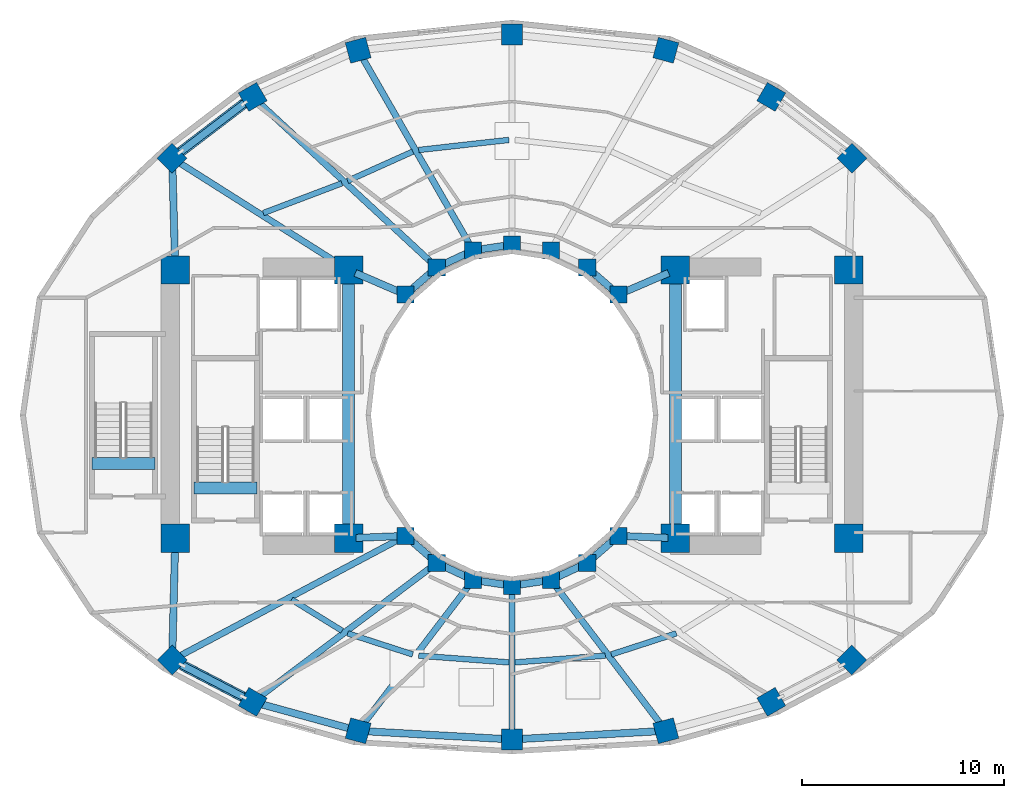
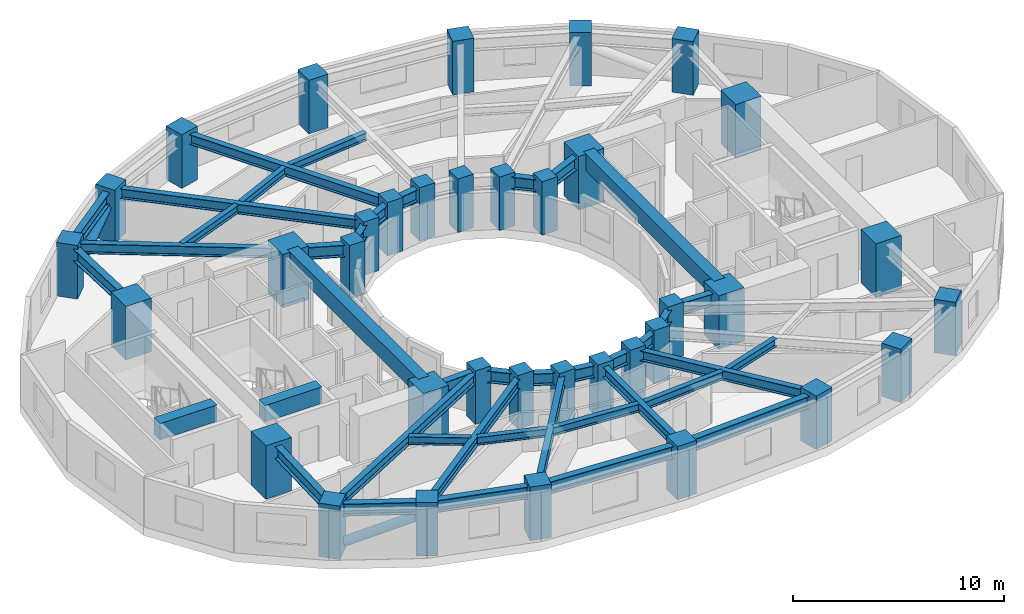
# One storey, part 1 of 9: 41 beams, 36 columns, 2 members.
"""IFC4 building model written with IfcOpenShell, lengths in metres."""

import ifcopenshell
import ifcopenshell.guid

model = None  # the IFC model being written
_history = None  # IfcOwnerHistory: only IFC2X3 demands one
_inside = {}  # id of a spatial element -> (the spatial element, [elements in it])
_under = {}  # id of a project, library or spatial element -> (it, [spatial elements below it])
_declared = {}  # id of a project -> (the project, [libraries it declares])
_typed = {}  # id of a type object -> (the type object, [elements of that type])
_made_of = {}  # id of a material, layer set ... -> (it, [elements and type objects made of it])


def new_model(schema):
    """Start an empty IFC model of exactly this schema.

    Asked for "IFC4X3", IfcOpenShell would pick the latest addendum, in which some entities
    have other attributes; the version numbers below select the first issue.
    IFC2X3 requires an IfcOwnerHistory on every rooted entity: one is made here for all.
    """
    global model, _history
    if schema == "IFC4X3":
        model = ifcopenshell.file(schema_version=(4, 3, 0, 0))
    else:
        model = ifcopenshell.file(schema=schema)
    _inside.clear()
    _under.clear()
    _declared.clear()
    _typed.clear()
    _made_of.clear()
    _history = None
    if model.schema == "IFC2X3":
        org = make("IfcOrganization", Name="unknown")
        user = make(
            "IfcPersonAndOrganization",
            ThePerson=make("IfcPerson", FamilyName="unknown"),
            TheOrganization=org,
        )
        app = make(
            "IfcApplication",
            ApplicationDeveloper=org,
            Version="unknown",
            ApplicationFullName="unknown",
            ApplicationIdentifier="unknown",
        )
        _history = make(
            "IfcOwnerHistory",
            OwningUser=user,
            OwningApplication=app,
            ChangeAction="ADDED",
            CreationDate=0,
        )
    return model


def make(cls, **values):
    """One entity of the class cls with the attributes given. An attribute that is None is left unset."""
    return model.create_entity(
        cls, **{name: value for name, value in values.items() if value is not None}
    )


def rooted(cls, **values):
    """An entity with a GlobalId (a new one), such as an element, a storey or a relation."""
    return make(cls, GlobalId=ifcopenshell.guid.new(), OwnerHistory=_history, **values)


def si_unit(unit_type, name, prefix=None):
    """IfcSIUnit, for example si_unit("LENGTHUNIT", "METRE", prefix="MILLI")."""
    return make("IfcSIUnit", UnitType=unit_type, Prefix=prefix, Name=name)


def assignment(units):
    """IfcUnitAssignment: the units of a project."""
    return None if units is None else make("IfcUnitAssignment", Units=units)


def point(xyz):
    """IfcCartesianPoint."""
    return None if xyz is None else make("IfcCartesianPoint", Coordinates=xyz)


def direction(xyz):
    """IfcDirection."""
    return None if xyz is None else make("IfcDirection", DirectionRatios=xyz)


def frame(location, z_axis=None, x_axis=None):
    """IfcAxis2Placement3D, a coordinate frame: its origin and axes. An axis left out is left unset."""
    return make(
        "IfcAxis2Placement3D",
        Location=point(location),
        Axis=direction(z_axis),
        RefDirection=direction(x_axis),
    )


def frame_2d(location, x_axis=None):
    """IfcAxis2Placement2D, a coordinate frame in the plane: its origin and x axis."""
    return make(
        "IfcAxis2Placement2D", Location=point(location), RefDirection=direction(x_axis)
    )


def origin():
    """The frame at (0, 0, 0) with its axes left unset."""
    return frame((0.0, 0.0, 0.0))


def origin_2d():
    """The frame at (0, 0) in the plane with its x axis left unset."""
    return frame_2d((0.0, 0.0))


def place(relative_to, where):
    """IfcLocalPlacement: puts the frame where relative to a parent placement (None: the world)."""
    return make(
        "IfcLocalPlacement", PlacementRelTo=relative_to, RelativePlacement=where
    )


def context(
    kind, dimensions, precision=None, world=None, true_north=None, identifier=None
):
    """IfcGeometricRepresentationContext, for example the 3D "Model" context."""
    return make(
        "IfcGeometricRepresentationContext",
        ContextIdentifier=identifier,
        ContextType=kind,
        CoordinateSpaceDimension=dimensions,
        Precision=precision,
        WorldCoordinateSystem=world,
        TrueNorth=true_north,
    )


def subcontext(parent, identifier, kind, view, scale=None):
    """IfcGeometricRepresentationSubContext, for example "Body" below "Model"."""
    return make(
        "IfcGeometricRepresentationSubContext",
        ContextIdentifier=identifier,
        ContextType=kind,
        ParentContext=parent,
        TargetScale=scale,
        TargetView=view,
    )


def project(units=None, contexts=None):
    """IfcProject with its units and contexts."""
    return rooted(
        "IfcProject",
        Name="project",
        RepresentationContexts=contexts,
        UnitsInContext=assignment(units),
    )


def spatial(cls, under=None, at=None, **own):
    """A site, building, storey or space (cls), placed at a placement, below another one or the project."""
    s = rooted(cls, ObjectPlacement=at, **own)
    if under is not None:
        _under.setdefault(under.id(), (under, []))[1].append(s)
    return s


def profile(cls, at=None, kind="AREA", **sizes):
    """A parametric profile (cls). Its sizes go by their IFC names, for example OverallWidth=200.0."""
    return make(cls, ProfileType=kind, Position=at, **sizes)


def rectangle(**sizes):
    """IfcRectangleProfileDef."""
    return profile("IfcRectangleProfileDef", **sizes)


def hollow_circle(**sizes):
    """IfcCircleHollowProfileDef."""
    return profile("IfcCircleHollowProfileDef", **sizes)


def i_section(**sizes):
    """IfcIShapeProfileDef."""
    return profile("IfcIShapeProfileDef", **sizes)


def extrude(swept, where, along, depth):
    """IfcExtrudedAreaSolid: the profile swept, set in the frame where, extruded along a direction by depth."""
    return make(
        "IfcExtrudedAreaSolid",
        SweptArea=swept,
        Position=where,
        ExtrudedDirection=direction(along),
        Depth=depth,
    )


def shape(context_of_items, identifier, shape_type, items):
    """IfcShapeRepresentation: the items that make up one representation, for example the "Body"."""
    return make(
        "IfcShapeRepresentation",
        ContextOfItems=context_of_items,
        RepresentationIdentifier=identifier,
        RepresentationType=shape_type,
        Items=items,
    )


def material(Name=None, Category=None):
    """IfcMaterial."""
    return make("IfcMaterial", Name=Name, Category=Category)


def material_profile(
    of_material, cross_section, Name=None, Category=None, Priority=None
):
    """IfcMaterialProfile: a cross section and its material."""
    return make(
        "IfcMaterialProfile",
        Name=Name,
        Material=of_material,
        Profile=cross_section,
        Priority=Priority,
        Category=Category,
    )


def profile_set(profiles, Name=None, composite=None):
    """IfcMaterialProfileSet."""
    return make(
        "IfcMaterialProfileSet",
        Name=Name,
        MaterialProfiles=profiles,
        CompositeProfile=composite,
    )


def made_of(thing, what):
    """Note that an element or type object is made of a material, layer set ...; save() writes the relation."""
    if what is not None:
        _made_of.setdefault(what.id(), (what, []))[1].append(thing)
    return thing


def type_object(cls, material=None, **own):
    """A type object (cls), such as IfcWallType, which elements share."""
    return made_of(rooted(cls, **own), material)


def element(
    cls,
    number,
    at=None,
    inside=None,
    cuts=None,
    type_object=None,
    material=None,
    context=None,
    identifier="Body",
    shape_type=None,
    held_by="IfcProductDefinitionShape",
    body=None,
    shapes=None,
    **own,
):
    """One element of the class cls, such as IfcWall. Its Tag is "e" and its number.

    at: its placement. inside: the storey or other place that contains it. cuts: it is an
    opening in that element (IfcRelVoidsElement). A single representation is given by context,
    identifier, shape_type and body (its items); several are given by shapes. held_by: the class
    of the entity that holds the representations. save() writes the other relations.
    """
    e = rooted(cls, Tag="e%d" % number, ObjectPlacement=at, **own)
    if body is not None:
        shapes = [shape(context, identifier, shape_type, body)]
    if shapes is not None:
        e.Representation = make(held_by, Representations=shapes)
    if inside is not None:
        _inside.setdefault(inside.id(), (inside, []))[1].append(e)
    if cuts is not None:
        rooted(
            "IfcRelVoidsElement", RelatingBuildingElement=cuts, RelatedOpeningElement=e
        )
    if type_object is not None:
        _typed.setdefault(type_object.id(), (type_object, []))[1].append(e)
    return made_of(e, material)


def aggregate(whole, parts):
    """IfcRelAggregates: a whole, such as a stair, and the parts it consists of."""
    return rooted("IfcRelAggregates", RelatingObject=whole, RelatedObjects=parts)


def save(model, path):
    """Write the relations noted so far, then the file.

    IfcRelAggregates (storeys below a building ...), IfcRelContainedInSpatialStructure (elements
    in a storey), IfcRelDefinesByType, IfcRelAssociatesMaterial and IfcRelDeclares: one each for
    every whole, place, type object, material and project.
    """
    for whole, parts in _under.values():
        aggregate(whole, parts)
    for where, things in _inside.values():
        rooted(
            "IfcRelContainedInSpatialStructure",
            RelatedElements=things,
            RelatingStructure=where,
        )
    for kind, things in _typed.values():
        rooted("IfcRelDefinesByType", RelatedObjects=things, RelatingType=kind)
    for what, things in _made_of.values():
        rooted("IfcRelAssociatesMaterial", RelatedObjects=things, RelatingMaterial=what)
    for by, libraries in _declared.values():
        rooted("IfcRelDeclares", RelatingContext=by, RelatedDefinitions=libraries)
    model.write(path)


model = new_model("IFC4")

# Units and contexts
model_context = context("Model", 3, precision=1e-05, world=origin(), true_north=direction((0.0, 1.0)))
body_context = subcontext(model_context, "Body", "Model", "MODEL_VIEW")
ifc_project = project(units=[si_unit("LENGTHUNIT", "METRE"), si_unit("AREAUNIT", "SQUARE_METRE"), si_unit("VOLUMEUNIT", "CUBIC_METRE"), si_unit("PLANEANGLEUNIT", "RADIAN"), si_unit("MASSUNIT", "GRAM", prefix="KILO")], contexts=[model_context])

# Site, building, storey
site_placement = place(None, origin())
site = spatial("IfcSite", under=ifc_project, at=site_placement, CompositionType="ELEMENT")
building_placement = place(site_placement, origin())
building = spatial("IfcBuilding", under=site, at=building_placement, Name="Solvane Sanctuary Tower", CompositionType="ELEMENT")
storey_placement = place(building_placement, frame((0.0, 0.0, 76.300048828125)))
storey = spatial("IfcBuildingStorey", under=building, at=storey_placement, Name="L22", CompositionType="ELEMENT", Elevation=76.300048828125)

# Columns
ifc_material_1 = material(Name="Concrete C70/85", Category="concrete")
ifc_material_profile_1 = material_profile(ifc_material_1, rectangle(XDim=1.39990234375, YDim=1.39990234375, at=origin_2d()), Name="RC1400X1400")
ifc_profile_set_1 = profile_set([ifc_material_profile_1], Name="Concrete C70/85")
column_type_1 = type_object("IfcColumnType", Name="Column C-POD-INT RC1400X1400", PredefinedType="COLUMN", material=ifc_profile_set_1)
for number, where, z_axis, x_axis, name in (
    (1, (15.300048828125, 16.89990234375, 0.0), (0.0, 0.0, 1.0), (1.0, 0.0, 0.0), "L22 Core Corner Column CW1"),
    (2, (23.89990234375, 16.89990234375, 0.0), (0.0, 0.0, 1.0), (1.0, 0.0, 0.0), "L22 Core Corner Column CW2"),
    (3, (23.89990234375, 30.199951171875, 0.0), (0.0, 0.0, 1.0), (1.0, 0.0, 0.0), "L22 Core Corner Column CW3"),
    (4, (15.300048828125, 30.199951171875, 0.0), (0.0, 0.0, 1.0), (1.0, 0.0, 0.0), "L22 Core Corner Column CW4"),
    (5, (40.10009765625, 16.89990234375, 0.0), (0.0, 0.0, 1.0), (1.0, 0.0, 0.0), "L22 Core Corner Column CE1"),
    (6, (48.699951171875, 16.89990234375, 0.0), (0.0, 0.0, 1.0), (1.0, 0.0, 0.0), "L22 Core Corner Column CE2"),
    (7, (48.699951171875, 30.199951171875, 0.0), (0.0, 0.0, 1.0), (1.0, 0.0, 0.0), "L22 Core Corner Column CE3"),
    (8, (40.10009765625, 30.199951171875, 0.0), (0.0, 0.0, 1.0), (1.0, 0.0, 0.0), "L22 Core Corner Column CE4"),
):
    element("IfcColumn", number, at=place(storey_placement, frame(where, z_axis=z_axis, x_axis=x_axis)), inside=storey, type_object=column_type_1, Name=name, PredefinedType="COLUMN", context=body_context, shape_type="SweptSolid", body=[
        extrude(rectangle(XDim=1.39990234375, YDim=1.39990234375, at=origin_2d()), origin(), (0.0, 0.0, 1.0), 3.099853515625),
    ])
ifc_material_2 = material(Name="Concrete C60/75", Category="concrete")
ifc_material_profile_2 = material_profile(ifc_material_2, rectangle(XDim=0.85009765625, YDim=0.85009765625, at=origin_2d()), Name="RC850X850")
ifc_profile_set_2 = profile_set([ifc_material_profile_2], Name="Concrete C60/75")
column_type_2 = type_object("IfcColumnType", Name="Column C-RING-Z2 RC850X850", PredefinedType="COLUMN", material=ifc_profile_set_2)
for number, where, z_axis, x_axis, name in (
    (9, (37.27490234375, 28.982177734375, 0.0), (0.0, 0.0, 1.0), (1.0, 0.0, 0.0), "L22 Inner Light-Well Ring Column IC01"),
    (10, (35.72998046875, 30.32666015625, 0.0), (0.0, 0.0, 1.0), (1.0, 0.0, 0.0), "L22 Inner Light-Well Ring Column IC02"),
    (11, (33.930908203125, 31.171630859375, 0.0), (0.0, 0.0, 1.0), (1.0, 0.0, 0.0), "L22 Inner Light-Well Ring Column IC03"),
    (12, (32.0, 31.4599609375, 0.0), (0.0, 0.0, 1.0), (1.0, 0.0, 0.0), "L22 Inner Light-Well Ring Column IC04"),
    (13, (30.069091796875, 31.171630859375, 0.0), (0.0, 0.0, 1.0), (1.0, 0.0, 0.0), "L22 Inner Light-Well Ring Column IC05"),
    (14, (28.27001953125, 30.32666015625, 0.0), (0.0, 0.0, 1.0), (1.0, 0.0, 0.0), "L22 Inner Light-Well Ring Column IC06"),
    (15, (26.72509765625, 28.982177734375, 0.0), (0.0, 0.0, 1.0), (1.0, 0.0, 0.0), "L22 Inner Light-Well Ring Column IC07"),
    (16, (26.72509765625, 17.017822265625, 0.0), (0.0, 0.0, 1.0), (1.0, 0.0, 0.0), "L22 Inner Light-Well Ring Column IC08"),
    (17, (28.27001953125, 15.67333984375, 0.0), (0.0, 0.0, 1.0), (1.0, 0.0, 0.0), "L22 Inner Light-Well Ring Column IC09"),
    (18, (30.069091796875, 14.828369140625, 0.0), (0.0, 0.0, 1.0), (1.0, 0.0, 0.0), "L22 Inner Light-Well Ring Column IC10"),
    (19, (32.0, 14.5400390625, 0.0), (0.0, 0.0, 1.0), (1.0, 0.0, 0.0), "L22 Inner Light-Well Ring Column IC11"),
    (20, (33.930908203125, 14.828369140625, 0.0), (0.0, 0.0, 1.0), (1.0, 0.0, 0.0), "L22 Inner Light-Well Ring Column IC12"),
    (21, (35.72998046875, 15.67333984375, 0.0), (0.0, 0.0, 1.0), (1.0, 0.0, 0.0), "L22 Inner Light-Well Ring Column IC13"),
    (22, (37.27490234375, 17.017822265625, 0.0), (0.0, 0.0, 1.0), (1.0, 0.0, 0.0), "L22 Inner Light-Well Ring Column IC14"),
):
    element("IfcColumn", number, at=place(storey_placement, frame(where, z_axis=z_axis, x_axis=x_axis)), inside=storey, type_object=column_type_2, Name=name, PredefinedType="COLUMN", context=body_context, shape_type="SweptSolid", body=[
        extrude(rectangle(XDim=0.85009765625, YDim=0.85009765625, at=origin_2d()), origin(), (0.0, 0.0, 1.0), 3.099853515625),
    ])
ifc_material_profile_3 = material_profile(ifc_material_2, rectangle(XDim=1.050048828125, YDim=1.050048828125, at=origin_2d()), Name="RC1050X1050")
ifc_profile_set_3 = profile_set([ifc_material_profile_3], Name="Concrete C60/75")
column_type_3 = type_object("IfcColumnType", Name="Column C-TUBE-Z2 RC1050X1050", PredefinedType="COLUMN", material=ifc_profile_set_3)
for number, where, z_axis, x_axis, name in (
    (23, (48.85302734375, 35.742919921875, 0.0), (0.0, 0.0, 1.0), (0.707106781187, 0.707106781187, 0.0), "L22 Perimeter Tube Column TC01"),
    (24, (44.8583984375, 38.7861328125, 0.0), (0.0, 0.0, 1.0), (0.5, 0.866025403784, 0.0), "L22 Perimeter Tube Column TC02"),
    (25, (39.62939453125, 41.10009765625, 0.0), (0.0, 0.0, 1.0), (0.258819045103, 0.965925826289, 0.0), "L22 Perimeter Tube Column TC03"),
    (26, (32.0, 41.8798828125, 0.0), (0.0, 0.0, 1.0), (0.0, 1.0, 0.0), "L22 Perimeter Tube Column TC04"),
    (27, (24.37060546875, 41.10009765625, 0.0), (0.0, 0.0, 1.0), (-0.258819045103, 0.965925826289, 0.0), "L22 Perimeter Tube Column TC05"),
    (28, (19.1416015625, 38.7861328125, 0.0), (0.0, 0.0, 1.0), (-0.5, 0.866025403784, 0.0), "L22 Perimeter Tube Column TC06"),
    (29, (15.14697265625, 35.742919921875, 0.0), (0.0, 0.0, 1.0), (-0.707106781187, 0.707106781187, 0.0), "L22 Perimeter Tube Column TC07"),
    (30, (15.14697265625, 10.86181640625, 0.0), (0.0, 0.0, 1.0), (-0.707106781187, -0.707106781187, 0.0), "L22 Perimeter Tube Column TC08"),
    (31, (19.1416015625, 8.782470703125, 0.0), (0.0, 0.0, 1.0), (-0.5, -0.866025403784, 0.0), "L22 Perimeter Tube Column TC09"),
    (32, (24.37060546875, 7.347900390625, 0.0), (0.0, 0.0, 1.0), (-0.258819045103, -0.965925826289, 0.0), "L22 Perimeter Tube Column TC10"),
    (33, (32.0, 6.919921875, 0.0), (0.0, 0.0, 1.0), (0.0, -1.0, 0.0), "L22 Perimeter Tube Column TC11"),
    (34, (39.62939453125, 7.347900390625, 0.0), (0.0, 0.0, 1.0), (0.258819045103, -0.965925826289, 0.0), "L22 Perimeter Tube Column TC12"),
    (35, (44.8583984375, 8.782470703125, 0.0), (0.0, 0.0, 1.0), (0.5, -0.866025403784, 0.0), "L22 Perimeter Tube Column TC13"),
    (36, (48.85302734375, 10.86181640625, 0.0), (0.0, 0.0, 1.0), (0.707106781187, -0.707106781187, 0.0), "L22 Perimeter Tube Column TC14"),
):
    element("IfcColumn", number, at=place(storey_placement, frame(where, z_axis=z_axis, x_axis=x_axis)), inside=storey, type_object=column_type_3, Name=name, PredefinedType="COLUMN", context=body_context, shape_type="SweptSolid", body=[
        extrude(rectangle(XDim=1.050048828125, YDim=1.050048828125, at=origin_2d()), origin(), (0.0, 0.0, 1.0), 3.099853515625),
    ])

# Beams
ifc_material_profile_4 = material_profile(ifc_material_1, rectangle(XDim=0.60009765625, YDim=0.949951171875, at=origin_2d()), Name="RC600X950")
ifc_profile_set_4 = profile_set([ifc_material_profile_4], Name="Concrete C70/85")
beam_type_1 = type_object("IfcBeamType", Name="Beam B-COUPLE RC600X950", PredefinedType="LINTEL", material=ifc_profile_set_4)
for number, where, z_axis, x_axis, name in (
    (37, (23.89990234375, 17.35009765625, 2.625), (0.0, 1.0, 0.0), (-1.0, 0.0, 0.0), "L22 West Core Coupling Lintel"),
    (38, (40.10009765625, 17.35009765625, 2.625), (0.0, 1.0, 0.0), (-1.0, 0.0, 0.0), "L22 East Core Coupling Lintel"),
):
    element("IfcBeam", number, at=place(storey_placement, frame(where, z_axis=z_axis, x_axis=x_axis)), inside=storey, type_object=beam_type_1, Name=name, PredefinedType="LINTEL", context=body_context, shape_type="SweptSolid", body=[
        extrude(rectangle(XDim=0.60009765625, YDim=0.949951171875, at=origin_2d()), origin(), (0.0, 0.0, 1.0), 12.39990234375),
    ])
for number, where, z_axis, x_axis, name in (
    (39, (16.22998046875, 19.399169921875, 2.625), (1.0, 0.0, 0.0), (0.0, 1.0, 0.0), "L22 ST-1 Stair Floor Landing Trimmer"),
    (40, (11.169921875, 20.59912109375, 2.625), (1.0, 0.0, 0.0), (0.0, 1.0, 0.0), "L22 ST-3 Stair Floor Landing Trimmer"),
):
    element("IfcBeam", number, at=place(storey_placement, frame(where, z_axis=z_axis, x_axis=x_axis)), inside=storey, type_object=beam_type_1, Name=name, PredefinedType="LINTEL", context=body_context, shape_type="SweptSolid", body=[
        extrude(rectangle(XDim=0.60009765625, YDim=0.949951171875, at=origin_2d()), origin(), (0.0, 0.0, 1.0), 3.1201171875),
    ])
ifc_material_3 = material(Name="Steel ASTM A992 Grade 50", Category="steel")
ifc_material_profile_5 = material_profile(ifc_material_3, i_section(OverallWidth=0.31494140625, OverallDepth=0.575927734375, WebThickness=0.01513671875, FlangeThickness=0.0244140625, FilletRadius=0.014892578125, at=origin_2d()), Name="W21X122")
ifc_profile_set_5 = profile_set([ifc_material_profile_5], Name="Steel ASTM A992 Grade 50")
beam_type_2 = type_object("IfcBeamType", Name="Beam B-RAD-Z2 W21X122", PredefinedType="BEAM", material=ifc_profile_set_5)
beam_1_placement = place(storey_placement, frame((29.9296875, 31.41455078125, 2.58984375), z_axis=(-0.497792245326, 0.8672963049, 0.0), x_axis=(-0.8672963049, -0.497792245326, 0.0)))
element("IfcBeam", 41, at=beam_1_placement, inside=storey, type_object=beam_type_2, Name="L22 Radial Composite Floor Beam 05", PredefinedType="BEAM", context=body_context, shape_type="SweptSolid", body=[
    extrude(i_section(OverallWidth=0.31494140625, OverallDepth=0.575927734375, WebThickness=0.01513671875, FlangeThickness=0.0244140625, FilletRadius=0.014892578125, at=origin_2d()), origin(), (0.0, 0.0, 1.0), 10.887451171875),
])
beam_2_placement = place(storey_placement, frame((28.064697265625, 30.516845703125, 2.58984375), z_axis=(-0.733453775248, 0.679739332078, 0.0), x_axis=(-0.679739332078, -0.733453775248, 0.0)))
element("IfcBeam", 42, at=beam_2_placement, inside=storey, type_object=beam_type_2, Name="L22 Radial Composite Floor Beam 06", PredefinedType="BEAM", context=body_context, shape_type="SweptSolid", body=[
    extrude(i_section(OverallWidth=0.31494140625, OverallDepth=0.575927734375, WebThickness=0.01513671875, FlangeThickness=0.0244140625, FilletRadius=0.014892578125, at=origin_2d()), origin(), (0.0, 0.0, 1.0), 11.885498046875),
])
beam_3_placement = place(storey_placement, frame((23.595947265625, 30.392578125, 2.58984375), z_axis=(-0.844853889678, 0.534997107558, 0.0), x_axis=(-0.534997107558, -0.844853889678, 0.0)))
element("IfcBeam", 43, at=beam_3_placement, inside=storey, type_object=beam_type_2, Name="L22 Radial Composite Floor Beam 07", PredefinedType="BEAM", context=body_context, shape_type="SweptSolid", body=[
    extrude(i_section(OverallWidth=0.31494140625, OverallDepth=0.575927734375, WebThickness=0.01513671875, FlangeThickness=0.0244140625, FilletRadius=0.014892578125, at=origin_2d()), origin(), (0.0, 0.0, 1.0), 9.720458984375),
])
beam_4_placement = place(storey_placement, frame((26.477783203125, 16.886474609375, 2.58984375), z_axis=(-0.882951984843, -0.469463302572, 0.0), x_axis=(0.469463302572, -0.882951984843, 0.0)))
element("IfcBeam", 44, at=beam_4_placement, inside=storey, type_object=beam_type_2, Name="L22 Radial Composite Floor Beam 08", PredefinedType="BEAM", context=body_context, shape_type="SweptSolid", body=[
    extrude(i_section(OverallWidth=0.31494140625, OverallDepth=0.575927734375, WebThickness=0.01513671875, FlangeThickness=0.0244140625, FilletRadius=0.014892578125, at=origin_2d()), origin(), (0.0, 0.0, 1.0), 12.552734375),
])
beam_5_placement = place(storey_placement, frame((28.04638671875, 15.504638671875, 2.58984375), z_axis=(-0.798116040134, -0.602503764703, 0.0), x_axis=(0.602503764703, -0.798116040134, 0.0)))
element("IfcBeam", 45, at=beam_5_placement, inside=storey, type_object=beam_type_2, Name="L22 Radial Composite Floor Beam 09", PredefinedType="BEAM", context=body_context, shape_type="SweptSolid", body=[
    extrude(i_section(OverallWidth=0.31494140625, OverallDepth=0.575927734375, WebThickness=0.01513671875, FlangeThickness=0.0244140625, FilletRadius=0.014892578125, at=origin_2d()), origin(), (0.0, 0.0, 1.0), 10.876953125),
])
beam_6_placement = place(storey_placement, frame((29.8994140625, 14.605712890625, 2.58984375), z_axis=(-0.605972515369, -0.795485581653, 0.0), x_axis=(0.795485581653, -0.605972515369, 0.0)))
element("IfcBeam", 46, at=beam_6_placement, inside=storey, type_object=beam_type_2, Name="L22 Radial Composite Floor Beam 10", PredefinedType="BEAM", context=body_context, shape_type="SweptSolid", body=[
    extrude(i_section(OverallWidth=0.31494140625, OverallDepth=0.575927734375, WebThickness=0.01513671875, FlangeThickness=0.0244140625, FilletRadius=0.014892578125, at=origin_2d()), origin(), (0.0, 0.0, 1.0), 8.84375),
])
beam_7_placement = place(storey_placement, frame((32.0, 14.260009765625, 2.58984375), z_axis=(0.0, -1.0, 0.0), x_axis=(1.0, 0.0, 0.0)))
element("IfcBeam", 47, at=beam_7_placement, inside=storey, type_object=beam_type_2, Name="L22 Radial Composite Floor Beam 11", PredefinedType="BEAM", context=body_context, shape_type="SweptSolid", body=[
    extrude(i_section(OverallWidth=0.31494140625, OverallDepth=0.575927734375, WebThickness=0.01513671875, FlangeThickness=0.0244140625, FilletRadius=0.014892578125, at=origin_2d()), origin(), (0.0, 0.0, 1.0), 7.06005859375),
])
beam_8_placement = place(storey_placement, frame((34.1005859375, 14.605712890625, 2.58984375), z_axis=(0.605972515369, -0.795485581653, 0.0), x_axis=(0.795485581653, 0.605972515369, 0.0)))
element("IfcBeam", 48, at=beam_8_placement, inside=storey, type_object=beam_type_2, Name="L22 Radial Composite Floor Beam 12", PredefinedType="BEAM", context=body_context, shape_type="SweptSolid", body=[
    extrude(i_section(OverallWidth=0.31494140625, OverallDepth=0.575927734375, WebThickness=0.01513671875, FlangeThickness=0.0244140625, FilletRadius=0.014892578125, at=origin_2d()), origin(), (0.0, 0.0, 1.0), 8.84375),
])
ifc_material_profile_6 = material_profile(ifc_material_3, i_section(OverallWidth=0.35498046875, OverallDepth=0.695068359375, WebThickness=0.015380859375, FlangeThickness=0.02490234375, FilletRadius=0.01806640625, at=origin_2d()), Name="W27X146")
ifc_profile_set_6 = profile_set([ifc_material_profile_6], Name="Steel ASTM A992 Grade 50")
beam_type_3 = type_object("IfcBeamType", Name="Beam B-RING-IN1 W27X146", PredefinedType="BEAM", material=ifc_profile_set_6)
beam_9_placement = place(storey_placement, frame((24.230712890625, 30.0576171875, 2.530517578125), z_axis=(0.918261456479, -0.3959746173, 0.0), x_axis=(0.3959746173, 0.918261456479, 0.0)))
element("IfcBeam", 49, at=beam_9_placement, inside=storey, type_object=beam_type_3, Name="L22 Inner Light-Well Ring Beam CW3-IC07", PredefinedType="BEAM", context=body_context, shape_type="SweptSolid", body=[
    extrude(i_section(OverallWidth=0.35498046875, OverallDepth=0.695068359375, WebThickness=0.015380859375, FlangeThickness=0.02490234375, FilletRadius=0.01806640625, at=origin_2d()), origin(), (0.0, 0.0, 1.0), 2.3212890625),
])
beam_10_placement = place(storey_placement, frame((27.02294921875, 29.241455078125, 2.530517578125), z_axis=(0.754317177099, 0.656510164684, 0.0), x_axis=(-0.656510164684, 0.754317177099, 0.0)))
element("IfcBeam", 50, at=beam_10_placement, inside=storey, type_object=beam_type_3, Name="L22 Inner Light-Well Ring Beam IC07-IC06", PredefinedType="BEAM", context=body_context, shape_type="SweptSolid", body=[
    extrude(i_section(OverallWidth=0.35498046875, OverallDepth=0.695068359375, WebThickness=0.015380859375, FlangeThickness=0.02490234375, FilletRadius=0.01806640625, at=origin_2d()), origin(), (0.0, 0.0, 1.0), 1.258056640625),
])
beam_11_placement = place(storey_placement, frame((28.62744140625, 30.494384765625, 2.530517578125), z_axis=(0.905044882818, 0.425316070804, 0.0), x_axis=(-0.425316070804, 0.905044882818, 0.0)))
element("IfcBeam", 51, at=beam_11_placement, inside=storey, type_object=beam_type_3, Name="L22 Inner Light-Well Ring Beam IC06-IC05", PredefinedType="BEAM", context=body_context, shape_type="SweptSolid", body=[
    extrude(i_section(OverallWidth=0.35498046875, OverallDepth=0.695068359375, WebThickness=0.015380859375, FlangeThickness=0.02490234375, FilletRadius=0.01806640625, at=origin_2d()), origin(), (0.0, 0.0, 1.0), 1.197998046875),
])
beam_12_placement = place(storey_placement, frame((30.4599609375, 31.22998046875, 2.530517578125), z_axis=(0.989034751611, 0.147682971619, 0.0), x_axis=(-0.147682971619, 0.989034751611, 0.0)))
element("IfcBeam", 52, at=beam_12_placement, inside=storey, type_object=beam_type_3, Name="L22 Inner Light-Well Ring Beam IC05-IC04", PredefinedType="BEAM", context=body_context, shape_type="SweptSolid", body=[
    extrude(i_section(OverallWidth=0.35498046875, OverallDepth=0.695068359375, WebThickness=0.015380859375, FlangeThickness=0.02490234375, FilletRadius=0.01806640625, at=origin_2d()), origin(), (0.0, 0.0, 1.0), 1.162109375),
])
beam_13_placement = place(storey_placement, frame((36.028076171875, 30.0673828125, 2.530517578125), z_axis=(0.754317177099, -0.656510164684, 0.0), x_axis=(0.656510164684, 0.754317177099, 0.0)))
element("IfcBeam", 53, at=beam_13_placement, inside=storey, type_object=beam_type_3, Name="L22 Inner Light-Well Ring Beam IC02-IC01", PredefinedType="BEAM", context=body_context, shape_type="SweptSolid", body=[
    extrude(i_section(OverallWidth=0.35498046875, OverallDepth=0.695068359375, WebThickness=0.015380859375, FlangeThickness=0.02490234375, FilletRadius=0.01806640625, at=origin_2d()), origin(), (0.0, 0.0, 1.0), 1.258056640625),
])
beam_14_placement = place(storey_placement, frame((37.6376953125, 29.138427734375, 2.530517578125), z_axis=(0.918261456479, 0.3959746173, 0.0), x_axis=(-0.3959746173, 0.918261456479, 0.0)))
element("IfcBeam", 54, at=beam_14_placement, inside=storey, type_object=beam_type_3, Name="L22 Inner Light-Well Ring Beam IC01-CE4", PredefinedType="BEAM", context=body_context, shape_type="SweptSolid", body=[
    extrude(i_section(OverallWidth=0.35498046875, OverallDepth=0.695068359375, WebThickness=0.015380859375, FlangeThickness=0.02490234375, FilletRadius=0.01806640625, at=origin_2d()), origin(), (0.0, 0.0, 1.0), 2.3212890625),
])
beam_15_placement = place(storey_placement, frame((24.259765625, 16.9150390625, 2.530517578125), z_axis=(0.999130007788, 0.041704047018, 0.0), x_axis=(-0.041704047018, 0.999130007788, 0.0)))
element("IfcBeam", 55, at=beam_15_placement, inside=storey, type_object=beam_type_3, Name="L22 Inner Light-Well Ring Beam CW2-IC08", PredefinedType="BEAM", context=body_context, shape_type="SweptSolid", body=[
    extrude(i_section(OverallWidth=0.35498046875, OverallDepth=0.695068359375, WebThickness=0.015380859375, FlangeThickness=0.02490234375, FilletRadius=0.01806640625, at=origin_2d()), origin(), (0.0, 0.0, 1.0), 2.072265625),
])
beam_16_placement = place(storey_placement, frame((27.02294921875, 16.758544921875, 2.530517578125), z_axis=(0.754317177099, -0.656510164684, 0.0), x_axis=(0.656510164684, 0.754317177099, 0.0)))
element("IfcBeam", 56, at=beam_16_placement, inside=storey, type_object=beam_type_3, Name="L22 Inner Light-Well Ring Beam IC08-IC09", PredefinedType="BEAM", context=body_context, shape_type="SweptSolid", body=[
    extrude(i_section(OverallWidth=0.35498046875, OverallDepth=0.695068359375, WebThickness=0.015380859375, FlangeThickness=0.02490234375, FilletRadius=0.01806640625, at=origin_2d()), origin(), (0.0, 0.0, 1.0), 1.258056640625),
])
beam_17_placement = place(storey_placement, frame((28.62744140625, 15.505615234375, 2.530517578125), z_axis=(0.905044882818, -0.425316070804, 0.0), x_axis=(0.425316070804, 0.905044882818, 0.0)))
element("IfcBeam", 57, at=beam_17_placement, inside=storey, type_object=beam_type_3, Name="L22 Inner Light-Well Ring Beam IC09-IC10", PredefinedType="BEAM", context=body_context, shape_type="SweptSolid", body=[
    extrude(i_section(OverallWidth=0.35498046875, OverallDepth=0.695068359375, WebThickness=0.015380859375, FlangeThickness=0.02490234375, FilletRadius=0.01806640625, at=origin_2d()), origin(), (0.0, 0.0, 1.0), 1.197998046875),
])
for number, where, z_axis, x_axis, name in (
    (58, (30.4599609375, 14.77001953125, 2.530517578125), (0.989034751611, -0.147682971619, 0.0), (0.147682971619, 0.989034751611, 0.0), "L22 Inner Light-Well Ring Beam IC10-IC11"),
    (59, (32.390625, 14.598388671875, 2.530517578125), (0.989034751611, 0.147682971619, 0.0), (-0.147682971619, 0.989034751611, 0.0), "L22 Inner Light-Well Ring Beam IC11-IC12"),
):
    element("IfcBeam", number, at=place(storey_placement, frame(where, z_axis=z_axis, x_axis=x_axis)), inside=storey, type_object=beam_type_3, Name=name, PredefinedType="BEAM", context=body_context, shape_type="SweptSolid", body=[
        extrude(i_section(OverallWidth=0.35498046875, OverallDepth=0.695068359375, WebThickness=0.015380859375, FlangeThickness=0.02490234375, FilletRadius=0.01806640625, at=origin_2d()), origin(), (0.0, 0.0, 1.0), 1.162109375),
    ])
beam_18_placement = place(storey_placement, frame((34.288330078125, 14.99609375, 2.530517578125), z_axis=(0.905044882818, 0.425316070804, 0.0), x_axis=(-0.425316070804, 0.905044882818, 0.0)))
element("IfcBeam", 60, at=beam_18_placement, inside=storey, type_object=beam_type_3, Name="L22 Inner Light-Well Ring Beam IC12-IC13", PredefinedType="BEAM", context=body_context, shape_type="SweptSolid", body=[
    extrude(i_section(OverallWidth=0.35498046875, OverallDepth=0.695068359375, WebThickness=0.015380859375, FlangeThickness=0.02490234375, FilletRadius=0.01806640625, at=origin_2d()), origin(), (0.0, 0.0, 1.0), 1.197998046875),
])
beam_19_placement = place(storey_placement, frame((36.028076171875, 15.9326171875, 2.530517578125), z_axis=(0.754317177099, 0.656510164684, 0.0), x_axis=(-0.656510164684, 0.754317177099, 0.0)))
element("IfcBeam", 61, at=beam_19_placement, inside=storey, type_object=beam_type_3, Name="L22 Inner Light-Well Ring Beam IC13-IC14", PredefinedType="BEAM", context=body_context, shape_type="SweptSolid", body=[
    extrude(i_section(OverallWidth=0.35498046875, OverallDepth=0.695068359375, WebThickness=0.015380859375, FlangeThickness=0.02490234375, FilletRadius=0.01806640625, at=origin_2d()), origin(), (0.0, 0.0, 1.0), 1.258056640625),
])
beam_20_placement = place(storey_placement, frame((37.669677734375, 17.00146484375, 2.530517578125), z_axis=(0.999130007788, -0.041704047018, 0.0), x_axis=(0.041704047018, 0.999130007788, 0.0)))
element("IfcBeam", 62, at=beam_20_placement, inside=storey, type_object=beam_type_3, Name="L22 Inner Light-Well Ring Beam IC14-CE1", PredefinedType="BEAM", context=body_context, shape_type="SweptSolid", body=[
    extrude(i_section(OverallWidth=0.35498046875, OverallDepth=0.695068359375, WebThickness=0.015380859375, FlangeThickness=0.02490234375, FilletRadius=0.01806640625, at=origin_2d()), origin(), (0.0, 0.0, 1.0), 2.072265625),
])
ifc_material_profile_7 = material_profile(ifc_material_3, i_section(OverallWidth=0.280029296875, OverallDepth=0.462890625, WebThickness=0.0107421875, FlangeThickness=0.017333984375, FilletRadius=0.013916015625, at=origin_2d()), Name="W18X76")
ifc_profile_set_7 = profile_set([ifc_material_profile_7], Name="Steel ASTM A992 Grade 50")
beam_type_4 = type_object("IfcBeamType", Name="Beam B-SEC-JOIST W18X76", PredefinedType="JOIST", material=ifc_profile_set_7)
beam_21_placement = place(storey_placement, frame((19.666015625, 33.025390625, 2.646484375), z_axis=(0.93509327646, 0.354401699091, 0.0), x_axis=(-0.354401699091, 0.93509327646, 0.0)))
element("IfcBeam", 63, at=beam_21_placement, inside=storey, type_object=beam_type_4, Name="L22 Secondary Circumferential Joist 07-06", PredefinedType="JOIST", context=body_context, shape_type="SweptSolid", body=[
    extrude(i_section(OverallWidth=0.280029296875, OverallDepth=0.462890625, WebThickness=0.0107421875, FlangeThickness=0.017333984375, FilletRadius=0.013916015625, at=origin_2d()), origin(), (0.0, 0.0, 1.0), 4.167724609375),
])
beam_22_placement = place(storey_placement, frame((23.844970703125, 34.618896484375, 2.646484375), z_axis=(0.912083673068, 0.410004113787, 0.0), x_axis=(-0.410004113787, 0.912083673068, 0.0)))
element("IfcBeam", 64, at=beam_22_placement, inside=storey, type_object=beam_type_4, Name="L22 Secondary Circumferential Joist 06-05", PredefinedType="JOIST", context=body_context, shape_type="SweptSolid", body=[
    extrude(i_section(OverallWidth=0.280029296875, OverallDepth=0.462890625, WebThickness=0.0107421875, FlangeThickness=0.017333984375, FilletRadius=0.013916015625, at=origin_2d()), origin(), (0.0, 0.0, 1.0), 3.5478515625),
])
beam_23_placement = place(storey_placement, frame((27.37158203125, 36.15283203125, 2.646484375), z_axis=(0.993814804173, 0.111050146357, 0.0), x_axis=(-0.111050146357, 0.993814804173, 0.0)))
element("IfcBeam", 65, at=beam_23_placement, inside=storey, type_object=beam_type_4, Name="L22 Secondary Circumferential Joist 05-04", PredefinedType="JOIST", context=body_context, shape_type="SweptSolid", body=[
    extrude(i_section(OverallWidth=0.280029296875, OverallDepth=0.462890625, WebThickness=0.0107421875, FlangeThickness=0.017333984375, FilletRadius=0.013916015625, at=origin_2d()), origin(), (0.0, 0.0, 1.0), 4.504638671875),
])
beam_24_placement = place(storey_placement, frame((21.065673828125, 13.859619140625, 2.646484375), z_axis=(0.85065981691, -0.525716535687, 0.0), x_axis=(0.525716535687, 0.85065981691, 0.0)))
element("IfcBeam", 66, at=beam_24_placement, inside=storey, type_object=beam_type_4, Name="L22 Secondary Circumferential Joist 08-09", PredefinedType="JOIST", context=body_context, shape_type="SweptSolid", body=[
    extrude(i_section(OverallWidth=0.280029296875, OverallDepth=0.462890625, WebThickness=0.0107421875, FlangeThickness=0.017333984375, FilletRadius=0.013916015625, at=origin_2d()), origin(), (0.0, 0.0, 1.0), 2.951171875),
])
beam_25_placement = place(storey_placement, frame((23.850830078125, 12.180908203125, 2.646484375), z_axis=(0.951216534175, -0.308524075416, 0.0), x_axis=(0.308524075416, 0.951216534175, 0.0)))
element("IfcBeam", 67, at=beam_25_placement, inside=storey, type_object=beam_type_4, Name="L22 Secondary Circumferential Joist 09-10", PredefinedType="JOIST", context=body_context, shape_type="SweptSolid", body=[
    extrude(i_section(OverallWidth=0.280029296875, OverallDepth=0.462890625, WebThickness=0.0107421875, FlangeThickness=0.017333984375, FilletRadius=0.013916015625, at=origin_2d()), origin(), (0.0, 0.0, 1.0), 3.38916015625),
])
for number, where, z_axis, x_axis, name in (
    (68, (27.3720703125, 11.07666015625, 2.646484375), (0.997207316227, -0.074683120339, 0.0), (0.074683120339, 0.997207316227, 0.0), "L22 Secondary Circumferential Joist 10-11"),
    (69, (32.152099609375, 10.741455078125, 2.646484375), (0.997207316227, 0.074683120339, 0.0), (-0.074683120339, 0.997207316227, 0.0), "L22 Secondary Circumferential Joist 11-12"),
):
    element("IfcBeam", number, at=place(storey_placement, frame(where, z_axis=z_axis, x_axis=x_axis)), inside=storey, type_object=beam_type_4, Name=name, PredefinedType="JOIST", context=body_context, shape_type="SweptSolid", body=[
        extrude(i_section(OverallWidth=0.280029296875, OverallDepth=0.462890625, WebThickness=0.0107421875, FlangeThickness=0.017333984375, FilletRadius=0.013916015625, at=origin_2d()), origin(), (0.0, 0.0, 1.0), 4.48828125),
    ])
beam_26_placement = place(storey_placement, frame((36.92529296875, 11.13525390625, 2.646484375), z_axis=(0.951216534175, 0.308524075416, 0.0), x_axis=(-0.308524075416, 0.951216534175, 0.0)))
element("IfcBeam", 70, at=beam_26_placement, inside=storey, type_object=beam_type_4, Name="L22 Secondary Circumferential Joist 12-13", PredefinedType="JOIST", context=body_context, shape_type="SweptSolid", body=[
    extrude(i_section(OverallWidth=0.280029296875, OverallDepth=0.462890625, WebThickness=0.0107421875, FlangeThickness=0.017333984375, FilletRadius=0.013916015625, at=origin_2d()), origin(), (0.0, 0.0, 1.0), 3.38916015625),
])
ifc_material_profile_8 = material_profile(ifc_material_3, i_section(OverallWidth=0.35791015625, OverallDepth=0.7060546875, WebThickness=0.018310546875, FlangeThickness=0.0302734375, FilletRadius=0.01806640625, at=origin_2d()), Name="W27X178")
ifc_profile_set_8 = profile_set([ifc_material_profile_8], Name="Steel ASTM A992 Grade 50")
beam_type_5 = type_object("IfcBeamType", Name="Beam B-SPAND-Z2 W27X178", PredefinedType="SPANDREL", material=ifc_profile_set_8)
beam_27_placement = place(storey_placement, frame((15.292236328125, 30.47998046875, 2.52490234375), z_axis=(-0.027574028772, 0.999619764179, 0.0), x_axis=(-0.999619764179, -0.027574028772, 0.0)))
element("IfcBeam", 71, at=beam_27_placement, inside=storey, type_object=beam_type_5, Name="L22 Perimeter Spandrel Beam CW4-TC07", PredefinedType="SPANDREL", context=body_context, shape_type="SweptSolid", body=[
    extrude(i_section(OverallWidth=0.35791015625, OverallDepth=0.7060546875, WebThickness=0.018310546875, FlangeThickness=0.0302734375, FilletRadius=0.01806640625, at=origin_2d()), origin(), (0.0, 0.0, 1.0), 4.98486328125),
])
beam_28_placement = place(storey_placement, frame((15.36962890625, 35.91259765625, 2.52490234375), z_axis=(0.795473167932, 0.605988811036, 0.0), x_axis=(-0.605988811036, 0.795473167932, 0.0)))
element("IfcBeam", 72, at=beam_28_placement, inside=storey, type_object=beam_type_5, Name="L22 Perimeter Spandrel Beam TC07-TC06", PredefinedType="SPANDREL", context=body_context, shape_type="SweptSolid", body=[
    extrude(i_section(OverallWidth=0.35791015625, OverallDepth=0.7060546875, WebThickness=0.018310546875, FlangeThickness=0.0302734375, FilletRadius=0.01806640625, at=origin_2d()), origin(), (0.0, 0.0, 1.0), 4.4619140625),
])
beam_29_placement = place(storey_placement, frame((15.29296875, 16.6201171875, 2.52490234375), z_axis=(-0.025349487585, -0.999678650107, 0.0), x_axis=(0.999678650107, -0.025349487585, 0.0)))
element("IfcBeam", 73, at=beam_29_placement, inside=storey, type_object=beam_type_5, Name="L22 Perimeter Spandrel Beam CW1-TC08", PredefinedType="SPANDREL", context=body_context, shape_type="SweptSolid", body=[
    extrude(i_section(OverallWidth=0.35791015625, OverallDepth=0.7060546875, WebThickness=0.018310546875, FlangeThickness=0.0302734375, FilletRadius=0.01806640625, at=origin_2d()), origin(), (0.0, 0.0, 1.0), 5.47998046875),
])
beam_30_placement = place(storey_placement, frame((15.3955078125, 10.732666015625, 2.52490234375), z_axis=(0.887014995188, -0.461740618002, 0.0), x_axis=(0.461740618002, 0.887014995188, 0.0)))
element("IfcBeam", 74, at=beam_30_placement, inside=storey, type_object=beam_type_5, Name="L22 Perimeter Spandrel Beam TC08-TC09", PredefinedType="SPANDREL", context=body_context, shape_type="SweptSolid", body=[
    extrude(i_section(OverallWidth=0.35791015625, OverallDepth=0.7060546875, WebThickness=0.018310546875, FlangeThickness=0.0302734375, FilletRadius=0.01806640625, at=origin_2d()), origin(), (0.0, 0.0, 1.0), 3.943359375),
])
beam_31_placement = place(storey_placement, frame((19.41162109375, 8.70849609375, 2.52490234375), z_axis=(0.964367605241, -0.26456591232, 0.0), x_axis=(0.26456591232, 0.964367605241, 0.0)))
element("IfcBeam", 75, at=beam_31_placement, inside=storey, type_object=beam_type_5, Name="L22 Perimeter Spandrel Beam TC09-TC10", PredefinedType="SPANDREL", context=body_context, shape_type="SweptSolid", body=[
    extrude(i_section(OverallWidth=0.35791015625, OverallDepth=0.7060546875, WebThickness=0.018310546875, FlangeThickness=0.0302734375, FilletRadius=0.01806640625, at=origin_2d()), origin(), (0.0, 0.0, 1.0), 4.8623046875),
])
for number, where, z_axis, x_axis, name in (
    (76, (24.650146484375, 7.332275390625, 2.52490234375), (0.998431364179, -0.055989383129, 0.0), (0.055989383129, 0.998431364179, 0.0), "L22 Perimeter Spandrel Beam TC10-TC11"),
    (77, (32.279541015625, 6.935791015625, 2.52490234375), (0.998431364179, 0.055989383129, 0.0), (-0.055989383129, 0.998431364179, 0.0), "L22 Perimeter Spandrel Beam TC11-TC12"),
):
    element("IfcBeam", number, at=place(storey_placement, frame(where, z_axis=z_axis, x_axis=x_axis)), inside=storey, type_object=beam_type_5, Name=name, PredefinedType="SPANDREL", context=body_context, shape_type="SweptSolid", body=[
        extrude(i_section(OverallWidth=0.35791015625, OverallDepth=0.7060546875, WebThickness=0.018310546875, FlangeThickness=0.0302734375, FilletRadius=0.01806640625, at=origin_2d()), origin(), (0.0, 0.0, 1.0), 7.081298828125),
    ])

# Members
ifc_material_profile_9 = material_profile(ifc_material_3, hollow_circle(Radius=0.25390625, WallThickness=0.01611328125, at=origin_2d()), Name="CHS508X16")
ifc_profile_set_9 = profile_set([ifc_material_profile_9], Name="Steel ASTM A992 Grade 50")
member_type = type_object("IfcMemberType", Name="Member M-TUBE-Z2 CHS508X16", PredefinedType="BRACE", material=ifc_profile_set_9)
member_1_placement = place(storey_placement, frame((15.575927734375, 36.069580078125, 0.572265625), z_axis=(0.749170118041, 0.570768517947, 0.336106282529), x_axis=(-0.606024564443, 0.795445929836, 0.0)))
element("IfcMember", 78, at=member_1_placement, inside=storey, type_object=member_type, Name="L22 Perimeter Braced-Tube Diagonal NW", PredefinedType="BRACE", context=body_context, shape_type="SweptSolid", body=[
    extrude(hollow_circle(Radius=0.25390625, WallThickness=0.01611328125, at=origin_2d()), origin(), (0.0, 0.0, 1.0), 4.1875),
])
member_2_placement = place(storey_placement, frame((15.6435546875, 10.603515625, 0.6025390625), z_axis=(0.824120276772, -0.429061570014, 0.369772820188), x_axis=(0.461792399626, 0.886988038052, 0.0)))
element("IfcMember", 79, at=member_2_placement, inside=storey, type_object=member_type, Name="L22 Perimeter Braced-Tube Diagonal SW", PredefinedType="BRACE", context=body_context, shape_type="SweptSolid", body=[
    extrude(hollow_circle(Radius=0.25390625, WallThickness=0.01611328125, at=origin_2d()), origin(), (0.0, 0.0, 1.0), 3.6689453125),
])

save(model, "model.ifc")
